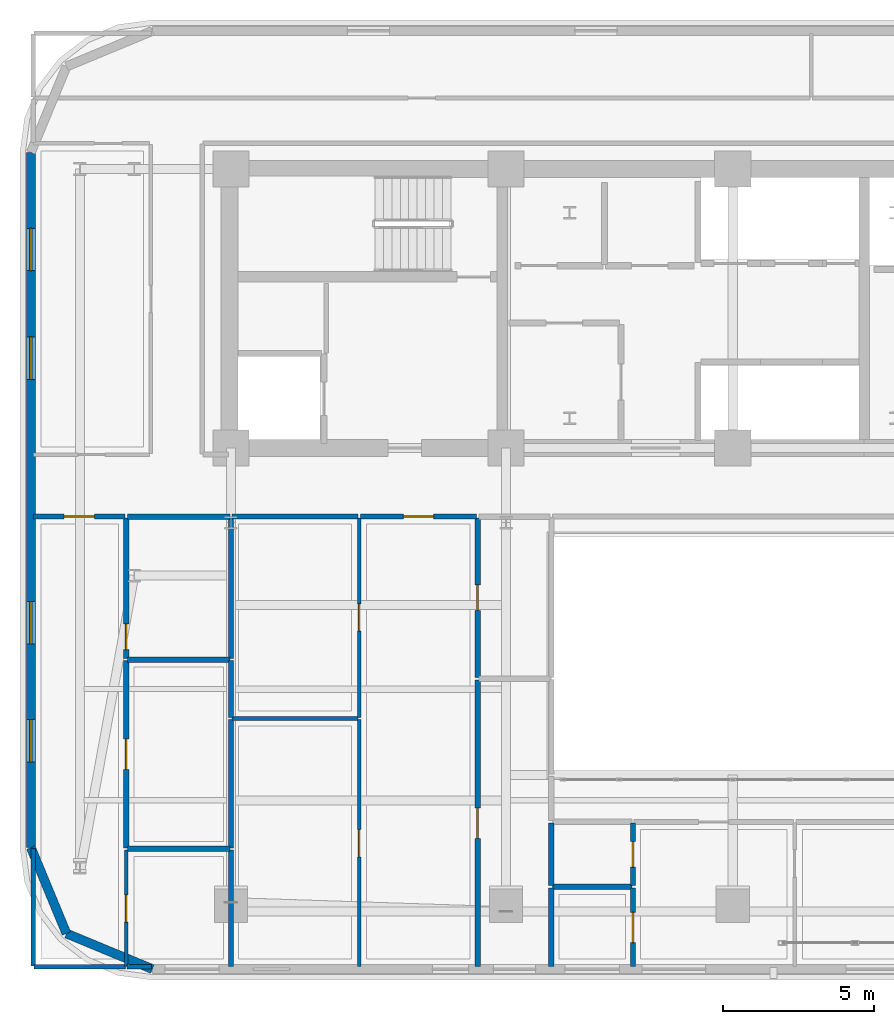
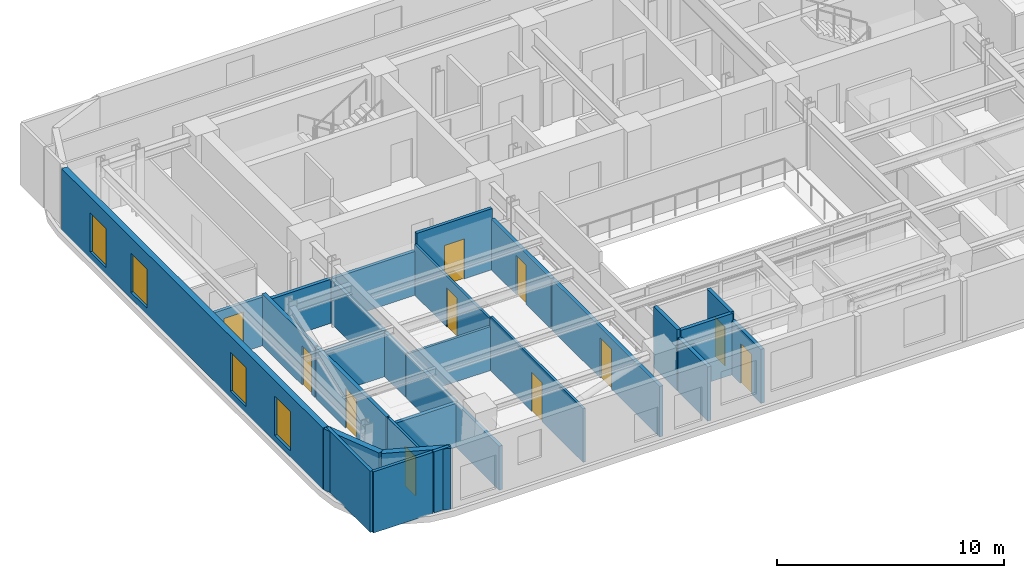
# One storey, part 6 of 13: 29 walls, 11 doors, 4 windows, 15 openings.
"""IFC4 building model written with IfcOpenShell, lengths in metres."""

from ifc_helpers import new_model, si_unit, direction, frame, frame_2d, origin, place, context, subcontext, project, spatial, rectangle, extrude, material, layer, layer_set, type_object, element, fill, save


model = new_model("IFC4")

# Units and contexts
model_context = context("Model", 3, precision=1e-05, world=origin(), true_north=direction((0.0, 1.0)))
body_context = subcontext(model_context, "Body", "Model", "MODEL_VIEW")
ifc_project = project(units=[si_unit("LENGTHUNIT", "METRE"), si_unit("AREAUNIT", "SQUARE_METRE"), si_unit("VOLUMEUNIT", "CUBIC_METRE"), si_unit("PLANEANGLEUNIT", "RADIAN"), si_unit("MASSUNIT", "GRAM", prefix="KILO")], contexts=[model_context])

# Site, building, storey
site_placement = place(None, origin())
site = spatial("IfcSite", under=ifc_project, at=site_placement, CompositionType="ELEMENT")
building_placement = place(site_placement, origin())
building = spatial("IfcBuilding", under=site, at=building_placement, Name="Zarnavel Station Tower", CompositionType="ELEMENT")
storey_placement = place(building_placement, frame((0.0, 0.0, 148.35009765625)))
storey = spatial("IfcBuildingStorey", under=building, at=storey_placement, Name="L40", CompositionType="ELEMENT", Elevation=148.35009765625)

# Wall, openings, windows
ifc_material_1 = material(Name="Precast concrete C45/55 (Dark Basalt Finish)", Category="masonry")
ifc_layer_1 = layer(ifc_material_1, 0.300048828125)
ifc_layer_set_1 = layer_set([ifc_layer_1], Name="EW_BASALT_300")
wall_type_1 = type_object("IfcWallType", Name="EW_BASALT_300", PredefinedType="SOLIDWALL", material=ifc_layer_set_1)
wall_1_placement = place(storey_placement, frame((5.580078125, 14.60009765625, 0.0), z_axis=(0.0, 0.0, 1.0), x_axis=(0.0, 1.0, 0.0)))
wall_1 = element("IfcWall", 1, at=wall_1_placement, inside=storey, type_object=wall_type_1, Name="L40 Exterior Basalt Masonry Frame Wall 09", PredefinedType="SOLIDWALL", context=body_context, shape_type="SweptSolid", body=[
    extrude(rectangle(XDim=23.0, YDim=0.300048828125, at=frame_2d((11.5, 0.0))), origin(), (0.0, 0.0, 1.0), 3.289794921875),
])
opening_1_placement = place(wall_1_placement, frame((15.493408203125, 0.0, 0.340087890625)))
opening_1 = element("IfcOpeningElement", 2, at=opening_1_placement, cuts=wall_1, Name="Opening WN04", PredefinedType="OPENING", context=body_context, shape_type="SweptSolid", body=[
    extrude(rectangle(XDim=1.39990234375, YDim=2.10009765625, at=frame_2d((0.699951171875, 1.050048828125))), frame((0.0, 0.159912109375, 0.0), z_axis=(0.0, -1.0, 0.0), x_axis=(1.0, 0.0, 0.0)), (0.0, 0.0, 1.0), 0.320068359375),
])
opening_2_placement = place(wall_1_placement, frame((19.086669921875, 0.0, 0.340087890625)))
opening_2 = element("IfcOpeningElement", 3, at=opening_2_placement, cuts=wall_1, Name="Opening WN04", PredefinedType="OPENING", context=body_context, shape_type="SweptSolid", body=[
    extrude(rectangle(XDim=1.39990234375, YDim=2.10009765625, at=frame_2d((0.699951171875, 1.050048828125))), frame((0.0, 0.159912109375, 0.0), z_axis=(0.0, -1.0, 0.0), x_axis=(1.0, 0.0, 0.0)), (0.0, 0.0, 1.0), 0.320068359375),
])
opening_3_placement = place(wall_1_placement, frame((2.830078125, 0.0, 0.340087890625)))
opening_3 = element("IfcOpeningElement", 4, at=opening_3_placement, cuts=wall_1, Name="Opening WN04", PredefinedType="OPENING", context=body_context, shape_type="SweptSolid", body=[
    extrude(rectangle(XDim=1.39990234375, YDim=2.10009765625, at=frame_2d((0.699951171875, 1.050048828125))), frame((0.0, 0.159912109375, 0.0), z_axis=(0.0, -1.0, 0.0), x_axis=(1.0, 0.0, 0.0)), (0.0, 0.0, 1.0), 0.320068359375),
])
opening_4_placement = place(wall_1_placement, frame((6.739990234375, 0.0, 0.340087890625)))
opening_4 = element("IfcOpeningElement", 5, at=opening_4_placement, cuts=wall_1, Name="Opening WN04", PredefinedType="OPENING", context=body_context, shape_type="SweptSolid", body=[
    extrude(rectangle(XDim=1.39990234375, YDim=2.10009765625, at=frame_2d((0.699951171875, 1.050048828125))), frame((0.0, 0.159912109375, 0.0), z_axis=(0.0, -1.0, 0.0), x_axis=(1.0, 0.0, 0.0)), (0.0, 0.0, 1.0), 0.320068359375),
])
ifc_material_2 = material(Name="Thermally Broken Black Aluminium and Low-E Dark Glass", Category="aluminium")
window_type = type_object("IfcWindowType", Name="WN_1400x2100", PartitioningType="DOUBLE_PANEL_VERTICAL", PredefinedType="WINDOW", material=ifc_material_2)
window_1_placement = place(opening_1_placement, origin())
window_1 = element("IfcWindow", 6, at=window_1_placement, inside=storey, type_object=window_type, Name="L40 Recessed Facade Window 01", OverallHeight=2.10009765625, OverallWidth=1.39990234375, PartitioningType="SINGLE_PANEL", PredefinedType="WINDOW", context=body_context, shape_type="SweptSolid", body=[
    extrude(rectangle(XDim=1.39990234375, YDim=2.10009765625, at=frame_2d((0.699951171875, 1.050048828125))), frame((0.0, 0.030029296875, 0.0), z_axis=(0.0, -1.0, 0.0), x_axis=(1.0, 0.0, 0.0)), (0.0, 0.0, 1.0), 0.06005859375),
])
fill(opening_1, window_1)
window_2_placement = place(opening_2_placement, origin())
window_2 = element("IfcWindow", 7, at=window_2_placement, inside=storey, type_object=window_type, Name="L40 Recessed Facade Window 02", OverallHeight=2.10009765625, OverallWidth=1.39990234375, PartitioningType="SINGLE_PANEL", PredefinedType="WINDOW", context=body_context, shape_type="SweptSolid", body=[
    extrude(rectangle(XDim=1.39990234375, YDim=2.10009765625, at=frame_2d((0.699951171875, 1.050048828125))), frame((0.0, 0.030029296875, 0.0), z_axis=(0.0, -1.0, 0.0), x_axis=(1.0, 0.0, 0.0)), (0.0, 0.0, 1.0), 0.06005859375),
])
fill(opening_2, window_2)
window_3_placement = place(opening_3_placement, origin())
window_3 = element("IfcWindow", 8, at=window_3_placement, inside=storey, type_object=window_type, Name="L40 Recessed Facade Window 03", OverallHeight=2.10009765625, OverallWidth=1.39990234375, PartitioningType="SINGLE_PANEL", PredefinedType="WINDOW", context=body_context, shape_type="SweptSolid", body=[
    extrude(rectangle(XDim=1.39990234375, YDim=2.10009765625, at=frame_2d((0.699951171875, 1.050048828125))), frame((0.0, 0.030029296875, 0.0), z_axis=(0.0, -1.0, 0.0), x_axis=(1.0, 0.0, 0.0)), (0.0, 0.0, 1.0), 0.06005859375),
])
fill(opening_3, window_3)
window_4_placement = place(opening_4_placement, origin())
window_4 = element("IfcWindow", 9, at=window_4_placement, inside=storey, type_object=window_type, Name="L40 Recessed Facade Window 04", OverallHeight=2.10009765625, OverallWidth=1.39990234375, PartitioningType="SINGLE_PANEL", PredefinedType="WINDOW", context=body_context, shape_type="SweptSolid", body=[
    extrude(rectangle(XDim=1.39990234375, YDim=2.10009765625, at=frame_2d((0.699951171875, 1.050048828125))), frame((0.0, 0.030029296875, 0.0), z_axis=(0.0, -1.0, 0.0), x_axis=(1.0, 0.0, 0.0)), (0.0, 0.0, 1.0), 0.06005859375),
])
fill(opening_4, window_4)

# Walls
for number, where, z_axis, x_axis, name in (
    (10, (6.75732421875, 11.75732421875, 0.0), (0.0, 0.0, 1.0), (-0.382608747773, 0.923910464346, 0.0), "L40 Exterior Basalt Masonry Frame Wall 10"),
    (11, (9.60009765625, 10.580078125, 0.0), (0.0, 0.0, 1.0), (-0.923910464346, 0.382608747773, 0.0), "L40 Exterior Basalt Masonry Frame Wall 11"),
):
    element("IfcWall", number, at=place(storey_placement, frame(where, z_axis=z_axis, x_axis=x_axis)), inside=storey, type_object=wall_type_1, Name=name, PredefinedType="SOLIDWALL", context=body_context, shape_type="SweptSolid", body=[
        extrude(rectangle(XDim=3.076904296875, YDim=0.300048828125, at=frame_2d((1.53857421875, 0.0))), origin(), (0.0, 0.0, 1.0), 3.289794921875),
    ])

# Wall, opening, door
ifc_material_3 = material(Name="Gypsum Twin-Stud Acoustic Fire Partition", Category="concrete")
ifc_layer_2 = layer(ifc_material_3, 0.159912109375)
ifc_layer_set_2 = layer_set([ifc_layer_2], Name="PT_DEMISE_160")
wall_type_2 = type_object("IfcWallType", Name="PT_DEMISE_160", PredefinedType="PARTITIONING", material=ifc_layer_set_2)
wall_2_placement = place(storey_placement, frame((5.659912109375, 25.550048828125, 0.0), z_axis=(0.0, 0.0, 1.0), x_axis=(1.0, 0.0, 0.0)))
wall_2 = element("IfcWall", 12, at=wall_2_placement, inside=storey, type_object=wall_type_2, Name="L40 Partition COR-S-UW1LV", PredefinedType="PARTITIONING", context=body_context, shape_type="SweptSolid", body=[
    extrude(rectangle(XDim=3.0341796875, YDim=0.159912109375, at=frame_2d((1.51708984375, 0.0))), origin(), (0.0, 0.0, 1.0), 2.619873046875),
])
opening_5_placement = place(wall_2_placement, frame((1.01708984375, 0.0, 0.0)))
opening_5 = element("IfcOpeningElement", 13, at=opening_5_placement, cuts=wall_2, Name="Opening FD02", PredefinedType="OPENING", context=body_context, shape_type="SweptSolid", body=[
    extrude(rectangle(XDim=1.0, YDim=2.14990234375, at=frame_2d((0.5, 1.074951171875))), frame((0.0, 0.08984375, 0.0), z_axis=(0.0, -1.0, 0.0), x_axis=(1.0, 0.0, 0.0)), (0.0, 0.0, 1.0), 0.179931640625),
])
ifc_material_4 = material(Name="Painted Galvanised Steel and Hardwood Leaf", Category="steel")
door_type_1 = type_object("IfcDoorType", Name="ID_ENTRY_1000", OperationType="NOTDEFINED", PredefinedType="DOOR", material=ifc_material_4)
door_1_placement = place(opening_5_placement, origin())
door_1 = element("IfcDoor", 14, at=door_1_placement, inside=storey, type_object=door_type_1, Name="L40 Door COR-S-UW1LV", OperationType="SINGLE_SWING_LEFT", OverallHeight=2.14990234375, OverallWidth=1.0, PredefinedType="DOOR", context=body_context, shape_type="SweptSolid", body=[
    extrude(rectangle(XDim=1.0, YDim=2.14990234375, at=frame_2d((0.5, 1.074951171875))), frame((0.0, 0.02490234375, 0.0), z_axis=(0.0, -1.0, 0.0), x_axis=(1.0, 0.0, 0.0)), (0.0, 0.0, 1.0), 0.050048828125),
])
fill(opening_5, door_1)

wall_3_placement = place(storey_placement, frame((16.47998046875, 25.550048828125, 0.0), z_axis=(0.0, 0.0, 1.0), x_axis=(1.0, 0.0, 0.0)))
wall_3 = element("IfcWall", 15, at=wall_3_placement, inside=storey, type_object=wall_type_2, Name="L40 Partition COR-S-UW2LV", PredefinedType="PARTITIONING", context=body_context, shape_type="SweptSolid", body=[
    extrude(rectangle(XDim=3.842041015625, YDim=0.159912109375, at=frame_2d((1.9208984375, 0.0))), origin(), (0.0, 0.0, 1.0), 3.289794921875),
])
opening_6_placement = place(wall_3_placement, frame((1.4208984375, 0.0, 0.0)))
opening_6 = element("IfcOpeningElement", 16, at=opening_6_placement, cuts=wall_3, Name="Opening FD02", PredefinedType="OPENING", context=body_context, shape_type="SweptSolid", body=[
    extrude(rectangle(XDim=1.0, YDim=2.14990234375, at=frame_2d((0.5, 1.074951171875))), frame((0.0, 0.08984375, 0.0), z_axis=(0.0, -1.0, 0.0), x_axis=(1.0, 0.0, 0.0)), (0.0, 0.0, 1.0), 0.179931640625),
])
door_2_placement = place(opening_6_placement, origin())
door_2 = element("IfcDoor", 17, at=door_2_placement, inside=storey, type_object=door_type_1, Name="L40 Door COR-S-UW2LV", OperationType="SINGLE_SWING_RIGHT", OverallHeight=2.14990234375, OverallWidth=1.0, PredefinedType="DOOR", context=body_context, shape_type="SweptSolid", body=[
    extrude(rectangle(XDim=1.0, YDim=2.14990234375, at=frame_2d((0.5, 1.074951171875))), frame((0.0, 0.02490234375, 0.0), z_axis=(0.0, -1.0, 0.0), x_axis=(1.0, 0.0, 0.0)), (0.0, 0.0, 1.0), 0.050048828125),
])
fill(opening_6, door_2)

# Walls
wall_4_placement = place(storey_placement, frame((12.239990234375, 25.550048828125, 0.0), z_axis=(0.0, 0.0, 1.0), x_axis=(1.0, 0.0, 0.0)))
element("IfcWall", 18, at=wall_4_placement, inside=storey, type_object=wall_type_2, Name="L40 Partition COR-S-UW2B2", PredefinedType="PARTITIONING", context=body_context, shape_type="SweptSolid", body=[
    extrude(rectangle(XDim=4.159912109375, YDim=0.159912109375, at=frame_2d((2.080078125, 0.0))), origin(), (0.0, 0.0, 1.0), 2.35986328125),
])
wall_5_placement = place(storey_placement, frame((12.199951171875, 10.659912109375, 0.0), z_axis=(0.0, 0.0, 1.0), x_axis=(0.0, 1.0, 0.0)))
element("IfcWall", 19, at=wall_5_placement, inside=storey, type_object=wall_type_2, Name="L40 Partition UW1B1-UW2B1", PredefinedType="PARTITIONING", context=body_context, shape_type="SweptSolid", body=[
    extrude(rectangle(XDim=3.85498046875, YDim=0.159912109375, at=frame_2d((1.927490234375, 0.0))), origin(), (0.0, 0.0, 1.0), 2.35986328125),
])
wall_6_placement = place(storey_placement, frame((5.68994140625, 10.659912109375, 0.0), z_axis=(0.0, 0.0, 1.0), x_axis=(1.0, 0.0, 0.0)))
element("IfcWall", 20, at=wall_6_placement, inside=storey, type_object=wall_type_2, Name="L40 Enclosure Wall UW1LV", PredefinedType="PARTITIONING", context=body_context, shape_type="SweptSolid", body=[
    extrude(rectangle(XDim=3.01416015625, YDim=0.159912109375, at=frame_2d((1.507080078125, 0.0))), origin(), (0.0, 0.0, 1.0), 3.289794921875),
])
wall_7_placement = place(storey_placement, frame((5.659912109375, 10.68994140625, 0.0), z_axis=(0.0, 0.0, 1.0), x_axis=(0.0, 1.0, 0.0)))
element("IfcWall", 21, at=wall_7_placement, inside=storey, type_object=wall_type_2, Name="L40 Enclosure Wall UW1LV", PredefinedType="PARTITIONING", context=body_context, shape_type="SweptSolid", body=[
    extrude(rectangle(XDim=3.880126953125, YDim=0.159912109375, at=frame_2d((1.93994140625, 0.0))), origin(), (0.0, 0.0, 1.0), 3.289794921875),
])
wall_8_placement = place(storey_placement, frame((8.763916015625, 10.659912109375, 0.0), z_axis=(0.0, 0.0, 1.0), x_axis=(1.0, 0.0, 0.0)))
element("IfcWall", 22, at=wall_8_placement, inside=storey, type_object=wall_type_2, Name="L40 Enclosure Wall UW1B1", PredefinedType="PARTITIONING", context=body_context, shape_type="SweptSolid", body=[
    extrude(rectangle(XDim=0.80615234375, YDim=0.159912109375, at=frame_2d((0.403076171875, 0.0))), origin(), (0.0, 0.0, 1.0), 3.289794921875),
])

# Wall, opening, door
ifc_material_5 = material(Name="Gypsum Metal-Stud Interior Partition", Category="concrete")
ifc_layer_3 = layer(ifc_material_5, 0.1201171875)
ifc_layer_set_3 = layer_set([ifc_layer_3], Name="PT_ROOM_120")
wall_type_3 = type_object("IfcWallType", Name="PT_ROOM_120", PredefinedType="PARTITIONING", material=ifc_layer_set_3)
wall_9_placement = place(storey_placement, frame((8.73388671875, 10.659912109375, 0.0), z_axis=(0.0, 0.0, 1.0), x_axis=(0.0, 1.0, 0.0)))
wall_9 = element("IfcWall", 23, at=wall_9_placement, inside=storey, type_object=wall_type_3, Name="L40 Partition UW1LV-UW1B1", PredefinedType="PARTITIONING", context=body_context, shape_type="SweptSolid", body=[
    extrude(rectangle(XDim=3.85498046875, YDim=0.1201171875, at=frame_2d((1.927490234375, 0.0))), origin(), (0.0, 0.0, 1.0), 2.77001953125),
])
opening_7_placement = place(wall_9_placement, frame((1.4775390625, 0.0, 0.0)))
opening_7 = element("IfcOpeningElement", 24, at=opening_7_placement, cuts=wall_9, Name="Opening ID01", PredefinedType="OPENING", context=body_context, shape_type="SweptSolid", body=[
    extrude(rectangle(XDim=0.89990234375, YDim=2.10009765625, at=frame_2d((0.449951171875, 1.050048828125))), frame((0.0, 0.070068359375, 0.0), z_axis=(0.0, -1.0, 0.0), x_axis=(1.0, 0.0, 0.0)), (0.0, 0.0, 1.0), 0.14013671875),
])
ifc_material_6 = material(Name="Painted Galvanised Steel and Hardwood Leaf", Category="steel")
door_type_2 = type_object("IfcDoorType", Name="ID_ROOM_900", OperationType="NOTDEFINED", PredefinedType="DOOR", material=ifc_material_6)
door_3_placement = place(opening_7_placement, origin())
door_3 = element("IfcDoor", 25, at=door_3_placement, inside=storey, type_object=door_type_2, Name="L40 Door UW1LV-UW1B1", OperationType="SINGLE_SWING_LEFT", OverallHeight=2.10009765625, OverallWidth=0.89990234375, PredefinedType="DOOR", context=body_context, shape_type="SweptSolid", body=[
    extrude(rectangle(XDim=0.89990234375, YDim=2.10009765625, at=frame_2d((0.449951171875, 1.050048828125))), frame((0.0, 0.02490234375, 0.0), z_axis=(0.0, -1.0, 0.0), x_axis=(1.0, 0.0, 0.0)), (0.0, 0.0, 1.0), 0.050048828125),
])
fill(opening_7, door_3)

wall_10_placement = place(storey_placement, frame((16.43994140625, 10.659912109375, 0.0), z_axis=(0.0, 0.0, 1.0), x_axis=(0.0, 1.0, 0.0)))
wall_10 = element("IfcWall", 26, at=wall_10_placement, inside=storey, type_object=wall_type_3, Name="L40 Partition UW2LV-UW2B1", PredefinedType="PARTITIONING", context=body_context, shape_type="SweptSolid", body=[
    extrude(rectangle(XDim=8.170166015625, YDim=0.1201171875, at=frame_2d((4.0849609375, 0.0))), origin(), (0.0, 0.0, 1.0), 2.8798828125),
])
opening_8_placement = place(wall_10_placement, frame((3.635009765625, 0.0, 0.0)))
opening_8 = element("IfcOpeningElement", 27, at=opening_8_placement, cuts=wall_10, Name="Opening ID01", PredefinedType="OPENING", context=body_context, shape_type="SweptSolid", body=[
    extrude(rectangle(XDim=0.89990234375, YDim=2.10009765625, at=frame_2d((0.449951171875, 1.050048828125))), frame((0.0, 0.070068359375, 0.0), z_axis=(0.0, -1.0, 0.0), x_axis=(1.0, 0.0, 0.0)), (0.0, 0.0, 1.0), 0.14013671875),
])
door_4_placement = place(opening_8_placement, origin())
door_4 = element("IfcDoor", 28, at=door_4_placement, inside=storey, type_object=door_type_2, Name="L40 Door UW2LV-UW2B1", OperationType="SINGLE_SWING_RIGHT", OverallHeight=2.10009765625, OverallWidth=0.89990234375, PredefinedType="DOOR", context=body_context, shape_type="SweptSolid", body=[
    extrude(rectangle(XDim=0.89990234375, YDim=2.10009765625, at=frame_2d((0.449951171875, 1.050048828125))), frame((0.0, 0.02490234375, 0.0), z_axis=(0.0, -1.0, 0.0), x_axis=(1.0, 0.0, 0.0)), (0.0, 0.0, 1.0), 0.050048828125),
])
fill(opening_8, door_4)

wall_11_placement = place(storey_placement, frame((16.43994140625, 18.909912109375, 0.0), z_axis=(0.0, 0.0, 1.0), x_axis=(0.0, 1.0, 0.0)))
wall_11 = element("IfcWall", 29, at=wall_11_placement, inside=storey, type_object=wall_type_3, Name="L40 Partition UW2LV-UW2B2", PredefinedType="PARTITIONING", context=body_context, shape_type="SweptSolid", body=[
    extrude(rectangle(XDim=6.60009765625, YDim=0.1201171875, at=frame_2d((3.300048828125, 0.0))), origin(), (0.0, 0.0, 1.0), 2.719970703125),
])
opening_9_placement = place(wall_11_placement, frame((2.85009765625, 0.0, 0.0)))
opening_9 = element("IfcOpeningElement", 30, at=opening_9_placement, cuts=wall_11, Name="Opening ID01", PredefinedType="OPENING", context=body_context, shape_type="SweptSolid", body=[
    extrude(rectangle(XDim=0.89990234375, YDim=2.10009765625, at=frame_2d((0.449951171875, 1.050048828125))), frame((0.0, 0.070068359375, 0.0), z_axis=(0.0, -1.0, 0.0), x_axis=(1.0, 0.0, 0.0)), (0.0, 0.0, 1.0), 0.14013671875),
])
door_5_placement = place(opening_9_placement, origin())
door_5 = element("IfcDoor", 31, at=door_5_placement, inside=storey, type_object=door_type_2, Name="L40 Door UW2LV-UW2B2", OperationType="SINGLE_SWING_LEFT", OverallHeight=2.10009765625, OverallWidth=0.89990234375, PredefinedType="DOOR", context=body_context, shape_type="SweptSolid", body=[
    extrude(rectangle(XDim=0.89990234375, YDim=2.10009765625, at=frame_2d((0.449951171875, 1.050048828125))), frame((0.0, 0.02490234375, 0.0), z_axis=(0.0, -1.0, 0.0), x_axis=(1.0, 0.0, 0.0)), (0.0, 0.0, 1.0), 0.050048828125),
])
fill(opening_9, door_5)

# Walls
wall_12_placement = place(storey_placement, frame((12.239990234375, 18.8701171875, 0.0), z_axis=(0.0, 0.0, 1.0), x_axis=(1.0, 0.0, 0.0)))
element("IfcWall", 32, at=wall_12_placement, inside=storey, type_object=wall_type_3, Name="L40 Partition UW2B1-UW2B2", PredefinedType="PARTITIONING", context=body_context, shape_type="SweptSolid", body=[
    extrude(rectangle(XDim=4.159912109375, YDim=0.1201171875, at=frame_2d((2.080078125, 0.0))), origin(), (0.0, 0.0, 1.0), 2.35986328125),
])
ifc_material_7 = material(Name="Moisture-Resistant Plumbing Chase Wall", Category="concrete")
ifc_layer_4 = layer(ifc_material_7, 0.179931640625)
ifc_layer_set_4 = layer_set([ifc_layer_4], Name="PW_PLUMB_180")
wall_type_4 = type_object("IfcWallType", Name="PW_PLUMB_180", PredefinedType="PLUMBINGWALL", material=ifc_layer_set_4)
wall_13_placement = place(storey_placement, frame((8.77392578125, 25.550048828125, 0.0), z_axis=(0.0, 0.0, 1.0), x_axis=(1.0, 0.0, 0.0)))
element("IfcWall", 33, at=wall_13_placement, inside=storey, type_object=wall_type_4, Name="L40 Partition COR-S-UW1BA", PredefinedType="PLUMBINGWALL", context=body_context, shape_type="SweptSolid", body=[
    extrude(rectangle(XDim=3.385986328125, YDim=0.179931640625, at=frame_2d((1.69287109375, 0.0))), origin(), (0.0, 0.0, 1.0), 2.35986328125),
])

# Wall, opening, door
wall_14_placement = place(storey_placement, frame((8.73388671875, 14.594970703125, 0.0), z_axis=(0.0, 0.0, 1.0), x_axis=(0.0, 1.0, 0.0)))
wall_14 = element("IfcWall", 34, at=wall_14_placement, inside=storey, type_object=wall_type_4, Name="L40 Partition UW1LV-UW1KT", PredefinedType="PLUMBINGWALL", context=body_context, shape_type="SweptSolid", body=[
    extrude(rectangle(XDim=6.18701171875, YDim=0.179931640625, at=frame_2d((3.093505859375, 0.0))), origin(), (0.0, 0.0, 1.0), 2.77001953125),
])
opening_10_placement = place(wall_14_placement, frame((2.593505859375, 0.0, 0.0)))
opening_10 = element("IfcOpeningElement", 35, at=opening_10_placement, cuts=wall_14, Name="Opening FD02", PredefinedType="OPENING", context=body_context, shape_type="SweptSolid", body=[
    extrude(rectangle(XDim=1.0, YDim=2.14990234375, at=frame_2d((0.5, 1.074951171875))), frame((0.0, 0.099853515625, 0.0), z_axis=(0.0, -1.0, 0.0), x_axis=(1.0, 0.0, 0.0)), (0.0, 0.0, 1.0), 0.199951171875),
])
door_6_placement = place(opening_10_placement, origin())
door_6 = element("IfcDoor", 36, at=door_6_placement, inside=storey, type_object=door_type_1, Name="L40 Door UW1LV-UW1KT", OperationType="SINGLE_SWING_RIGHT", OverallHeight=2.14990234375, OverallWidth=1.0, PredefinedType="DOOR", context=body_context, shape_type="SweptSolid", body=[
    extrude(rectangle(XDim=1.0, YDim=2.14990234375, at=frame_2d((0.5, 1.074951171875))), frame((0.0, 0.02490234375, 0.0), z_axis=(0.0, -1.0, 0.0), x_axis=(1.0, 0.0, 0.0)), (0.0, 0.0, 1.0), 0.050048828125),
])
fill(opening_10, door_6)

wall_15_placement = place(storey_placement, frame((8.73388671875, 20.862060546875, 0.0), z_axis=(0.0, 0.0, 1.0), x_axis=(0.0, 1.0, 0.0)))
wall_15 = element("IfcWall", 37, at=wall_15_placement, inside=storey, type_object=wall_type_4, Name="L40 Partition UW1LV-UW1BA", PredefinedType="PLUMBINGWALL", context=body_context, shape_type="SweptSolid", body=[
    extrude(rectangle(XDim=4.64794921875, YDim=0.179931640625, at=frame_2d((2.323974609375, 0.0))), origin(), (0.0, 0.0, 1.0), 2.77001953125),
])
opening_11_placement = place(wall_15_placement, frame((0.28662109375, 0.0, 0.0)))
opening_11 = element("IfcOpeningElement", 38, at=opening_11_placement, cuts=wall_15, Name="Opening ID02", PredefinedType="OPENING", context=body_context, shape_type="SweptSolid", body=[
    extrude(rectangle(XDim=0.85009765625, YDim=2.10009765625, at=frame_2d((0.425048828125, 1.050048828125))), frame((0.0, 0.099853515625, 0.0), z_axis=(0.0, -1.0, 0.0), x_axis=(1.0, 0.0, 0.0)), (0.0, 0.0, 1.0), 0.199951171875),
])
ifc_material_8 = material(Name="Painted Galvanised Steel and Hardwood Leaf", Category="steel")
door_type_3 = type_object("IfcDoorType", Name="ID_BATH_850", OperationType="NOTDEFINED", PredefinedType="DOOR", material=ifc_material_8)
door_7_placement = place(opening_11_placement, origin())
door_7 = element("IfcDoor", 39, at=door_7_placement, inside=storey, type_object=door_type_3, Name="L40 Door UW1LV-UW1BA", OperationType="SINGLE_SWING_LEFT", OverallHeight=2.10009765625, OverallWidth=0.85009765625, PredefinedType="DOOR", context=body_context, shape_type="SweptSolid", body=[
    extrude(rectangle(XDim=0.85009765625, YDim=2.10009765625, at=frame_2d((0.425048828125, 1.050048828125))), frame((0.0, 0.02490234375, 0.0), z_axis=(0.0, -1.0, 0.0), x_axis=(1.0, 0.0, 0.0)), (0.0, 0.0, 1.0), 0.050048828125),
])
fill(opening_11, door_7)

# Walls
for number, where, z_axis, x_axis, name in (
    (40, (8.77392578125, 14.554931640625, 0.0), (0.0, 0.0, 1.0), (1.0, 0.0, 0.0), "L40 Partition UW1B1-UW1KT"),
    (41, (8.77392578125, 20.822021484375, 0.0), (0.0, 0.0, 1.0), (1.0, 0.0, 0.0), "L40 Partition UW1KT-UW1BA"),
):
    element("IfcWall", number, at=place(storey_placement, frame(where, z_axis=z_axis, x_axis=x_axis)), inside=storey, type_object=wall_type_4, Name=name, PredefinedType="PLUMBINGWALL", context=body_context, shape_type="SweptSolid", body=[
        extrude(rectangle(XDim=3.385986328125, YDim=0.179931640625, at=frame_2d((1.69287109375, 0.0))), origin(), (0.0, 0.0, 1.0), 2.35986328125),
    ])
wall_16_placement = place(storey_placement, frame((12.199951171875, 14.594970703125, 0.0), z_axis=(0.0, 0.0, 1.0), x_axis=(0.0, 1.0, 0.0)))
element("IfcWall", 42, at=wall_16_placement, inside=storey, type_object=wall_type_4, Name="L40 Partition UW1KT-UW2B1", PredefinedType="PLUMBINGWALL", context=body_context, shape_type="SweptSolid", body=[
    extrude(rectangle(XDim=4.235107421875, YDim=0.179931640625, at=frame_2d((2.11767578125, 0.0))), origin(), (0.0, 0.0, 1.0), 2.35986328125),
])
wall_17_placement = place(storey_placement, frame((12.199951171875, 18.909912109375, 0.0), z_axis=(0.0, 0.0, 1.0), x_axis=(0.0, 1.0, 0.0)))
element("IfcWall", 43, at=wall_17_placement, inside=storey, type_object=wall_type_4, Name="L40 Partition UW1KT-UW2B2", PredefinedType="PLUMBINGWALL", context=body_context, shape_type="SweptSolid", body=[
    extrude(rectangle(XDim=1.8720703125, YDim=0.179931640625, at=frame_2d((0.93603515625, 0.0))), origin(), (0.0, 0.0, 1.0), 2.35986328125),
])
wall_18_placement = place(storey_placement, frame((12.199951171875, 20.862060546875, 0.0), z_axis=(0.0, 0.0, 1.0), x_axis=(0.0, 1.0, 0.0)))
element("IfcWall", 44, at=wall_18_placement, inside=storey, type_object=wall_type_4, Name="L40 Partition UW1BA-UW2B2", PredefinedType="PLUMBINGWALL", context=body_context, shape_type="SweptSolid", body=[
    extrude(rectangle(XDim=4.64794921875, YDim=0.179931640625, at=frame_2d((2.323974609375, 0.0))), origin(), (0.0, 0.0, 1.0), 2.35986328125),
])

# Wall, opening, door
wall_19_placement = place(storey_placement, frame((20.362060546875, 10.659912109375, 0.0), z_axis=(0.0, 0.0, 1.0), x_axis=(0.0, 1.0, 0.0)))
wall_19 = element("IfcWall", 45, at=wall_19_placement, inside=storey, type_object=wall_type_4, Name="L40 Partition UW2LV-UW2KT", PredefinedType="PLUMBINGWALL", context=body_context, shape_type="SweptSolid", body=[
    extrude(rectangle(XDim=9.489990234375, YDim=0.179931640625, at=frame_2d((4.7451171875, 0.0))), origin(), (0.0, 0.0, 1.0), 2.719970703125),
])
opening_12_placement = place(wall_19_placement, frame((4.2451171875, 0.0, 0.0)))
opening_12 = element("IfcOpeningElement", 46, at=opening_12_placement, cuts=wall_19, Name="Opening FD02", PredefinedType="OPENING", context=body_context, shape_type="SweptSolid", body=[
    extrude(rectangle(XDim=1.0, YDim=2.14990234375, at=frame_2d((0.5, 1.074951171875))), frame((0.0, 0.099853515625, 0.0), z_axis=(0.0, -1.0, 0.0), x_axis=(1.0, 0.0, 0.0)), (0.0, 0.0, 1.0), 0.199951171875),
])
door_8_placement = place(opening_12_placement, origin())
door_8 = element("IfcDoor", 47, at=door_8_placement, inside=storey, type_object=door_type_1, Name="L40 Door UW2LV-UW2KT", OperationType="SINGLE_SWING_RIGHT", OverallHeight=2.14990234375, OverallWidth=1.0, PredefinedType="DOOR", context=body_context, shape_type="SweptSolid", body=[
    extrude(rectangle(XDim=1.0, YDim=2.14990234375, at=frame_2d((0.5, 1.074951171875))), frame((0.0, 0.02490234375, 0.0), z_axis=(0.0, -1.0, 0.0), x_axis=(1.0, 0.0, 0.0)), (0.0, 0.0, 1.0), 0.050048828125),
])
fill(opening_12, door_8)

wall_20_placement = place(storey_placement, frame((20.362060546875, 20.22998046875, 0.0), z_axis=(0.0, 0.0, 1.0), x_axis=(0.0, 1.0, 0.0)))
wall_20 = element("IfcWall", 48, at=wall_20_placement, inside=storey, type_object=wall_type_4, Name="L40 Partition UW2LV-UW2BA", PredefinedType="PLUMBINGWALL", context=body_context, shape_type="SweptSolid", body=[
    extrude(rectangle(XDim=5.280029296875, YDim=0.179931640625, at=frame_2d((2.64013671875, 0.0))), origin(), (0.0, 0.0, 1.0), 2.719970703125),
])
opening_13_placement = place(wall_20_placement, frame((2.215087890625, 0.0, 0.0)))
opening_13 = element("IfcOpeningElement", 49, at=opening_13_placement, cuts=wall_20, Name="Opening ID02", PredefinedType="OPENING", context=body_context, shape_type="SweptSolid", body=[
    extrude(rectangle(XDim=0.85009765625, YDim=2.10009765625, at=frame_2d((0.425048828125, 1.050048828125))), frame((0.0, 0.099853515625, 0.0), z_axis=(0.0, -1.0, 0.0), x_axis=(1.0, 0.0, 0.0)), (0.0, 0.0, 1.0), 0.199951171875),
])
door_9_placement = place(opening_13_placement, origin())
door_9 = element("IfcDoor", 50, at=door_9_placement, inside=storey, type_object=door_type_3, Name="L40 Door UW2LV-UW2BA", OperationType="SINGLE_SWING_LEFT", OverallHeight=2.10009765625, OverallWidth=0.85009765625, PredefinedType="DOOR", context=body_context, shape_type="SweptSolid", body=[
    extrude(rectangle(XDim=0.85009765625, YDim=2.10009765625, at=frame_2d((0.425048828125, 1.050048828125))), frame((0.0, 0.02490234375, 0.0), z_axis=(0.0, -1.0, 0.0), x_axis=(1.0, 0.0, 0.0)), (0.0, 0.0, 1.0), 0.050048828125),
])
fill(opening_13, door_9)

# Walls
wall_21_placement = place(storey_placement, frame((22.800048828125, 10.659912109375, 0.0), z_axis=(0.0, 0.0, 1.0), x_axis=(0.0, 1.0, 0.0)))
element("IfcWall", 51, at=wall_21_placement, inside=storey, type_object=wall_type_4, Name="L40 Partition UW2KT-US1KT", PredefinedType="PLUMBINGWALL", context=body_context, shape_type="SweptSolid", body=[
    extrude(rectangle(XDim=2.60009765625, YDim=0.179931640625, at=frame_2d((1.300048828125, 0.0))), origin(), (0.0, 0.0, 1.0), 2.909912109375),
])
wall_22_placement = place(storey_placement, frame((22.800048828125, 13.340087890625, 0.0), z_axis=(0.0, 0.0, 1.0), x_axis=(0.0, 1.0, 0.0)))
element("IfcWall", 52, at=wall_22_placement, inside=storey, type_object=wall_type_4, Name="L40 Partition UW2KT-US1BA", PredefinedType="PLUMBINGWALL", context=body_context, shape_type="SweptSolid", body=[
    extrude(rectangle(XDim=2.06982421875, YDim=0.179931640625, at=frame_2d((1.034912109375, 0.0))), origin(), (0.0, 0.0, 1.0), 3.289794921875),
])

# Wall, opening, door
wall_23_placement = place(storey_placement, frame((25.5, 10.659912109375, 0.0), z_axis=(0.0, 0.0, 1.0), x_axis=(0.0, 1.0, 0.0)))
wall_23 = element("IfcWall", 53, at=wall_23_placement, inside=storey, type_object=wall_type_4, Name="L40 Partition US1LV-US1KT", PredefinedType="PLUMBINGWALL", context=body_context, shape_type="SweptSolid", body=[
    extrude(rectangle(XDim=2.60009765625, YDim=0.179931640625, at=frame_2d((1.300048828125, 0.0))), origin(), (0.0, 0.0, 1.0), 2.909912109375),
])
opening_14_placement = place(wall_23_placement, frame((0.800048828125, 0.0, 0.0)))
opening_14 = element("IfcOpeningElement", 54, at=opening_14_placement, cuts=wall_23, Name="Opening FD02", PredefinedType="OPENING", context=body_context, shape_type="SweptSolid", body=[
    extrude(rectangle(XDim=1.0, YDim=2.14990234375, at=frame_2d((0.5, 1.074951171875))), frame((0.0, 0.099853515625, 0.0), z_axis=(0.0, -1.0, 0.0), x_axis=(1.0, 0.0, 0.0)), (0.0, 0.0, 1.0), 0.199951171875),
])
door_10_placement = place(opening_14_placement, origin())
door_10 = element("IfcDoor", 55, at=door_10_placement, inside=storey, type_object=door_type_1, Name="L40 Door US1LV-US1KT", OperationType="SINGLE_SWING_RIGHT", OverallHeight=2.14990234375, OverallWidth=1.0, PredefinedType="DOOR", context=body_context, shape_type="SweptSolid", body=[
    extrude(rectangle(XDim=1.0, YDim=2.14990234375, at=frame_2d((0.5, 1.074951171875))), frame((0.0, 0.02490234375, 0.0), z_axis=(0.0, -1.0, 0.0), x_axis=(1.0, 0.0, 0.0)), (0.0, 0.0, 1.0), 0.050048828125),
])
fill(opening_14, door_10)

wall_24_placement = place(storey_placement, frame((25.5, 13.340087890625, 0.0), z_axis=(0.0, 0.0, 1.0), x_axis=(0.0, 1.0, 0.0)))
wall_24 = element("IfcWall", 56, at=wall_24_placement, inside=storey, type_object=wall_type_4, Name="L40 Partition US1LV-US1BA", PredefinedType="PLUMBINGWALL", context=body_context, shape_type="SweptSolid", body=[
    extrude(rectangle(XDim=2.06982421875, YDim=0.179931640625, at=frame_2d((1.034912109375, 0.0))), origin(), (0.0, 0.0, 1.0), 3.289794921875),
])
opening_15_placement = place(wall_24_placement, frame((0.610107421875, 0.0, 0.0)))
opening_15 = element("IfcOpeningElement", 57, at=opening_15_placement, cuts=wall_24, Name="Opening ID02", PredefinedType="OPENING", context=body_context, shape_type="SweptSolid", body=[
    extrude(rectangle(XDim=0.85009765625, YDim=2.10009765625, at=frame_2d((0.425048828125, 1.050048828125))), frame((0.0, 0.099853515625, 0.0), z_axis=(0.0, -1.0, 0.0), x_axis=(1.0, 0.0, 0.0)), (0.0, 0.0, 1.0), 0.199951171875),
])
door_11_placement = place(opening_15_placement, origin())
door_11 = element("IfcDoor", 58, at=door_11_placement, inside=storey, type_object=door_type_3, Name="L40 Door US1LV-US1BA", OperationType="SINGLE_SWING_LEFT", OverallHeight=2.10009765625, OverallWidth=0.85009765625, PredefinedType="DOOR", context=body_context, shape_type="SweptSolid", body=[
    extrude(rectangle(XDim=0.85009765625, YDim=2.10009765625, at=frame_2d((0.425048828125, 1.050048828125))), frame((0.0, 0.02490234375, 0.0), z_axis=(0.0, -1.0, 0.0), x_axis=(1.0, 0.0, 0.0)), (0.0, 0.0, 1.0), 0.050048828125),
])
fill(opening_15, door_11)

# Wall
wall_25_placement = place(storey_placement, frame((22.840087890625, 13.300048828125, 0.0), z_axis=(0.0, 0.0, 1.0), x_axis=(1.0, 0.0, 0.0)))
element("IfcWall", 59, at=wall_25_placement, inside=storey, type_object=wall_type_4, Name="L40 Partition US1KT-US1BA", PredefinedType="PLUMBINGWALL", context=body_context, shape_type="SweptSolid", body=[
    extrude(rectangle(XDim=2.619873046875, YDim=0.179931640625, at=frame_2d((1.31005859375, 0.0))), origin(), (0.0, 0.0, 1.0), 3.289794921875),
])

save(model, "model.ifc")
